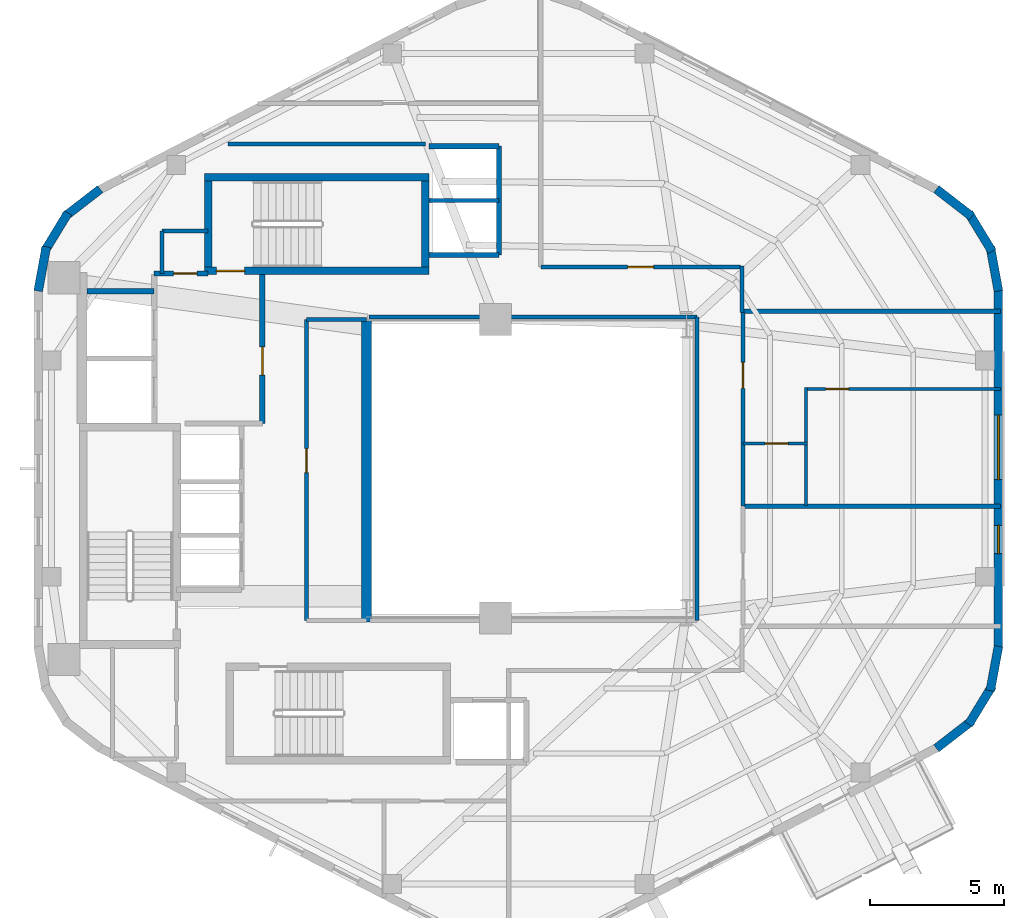
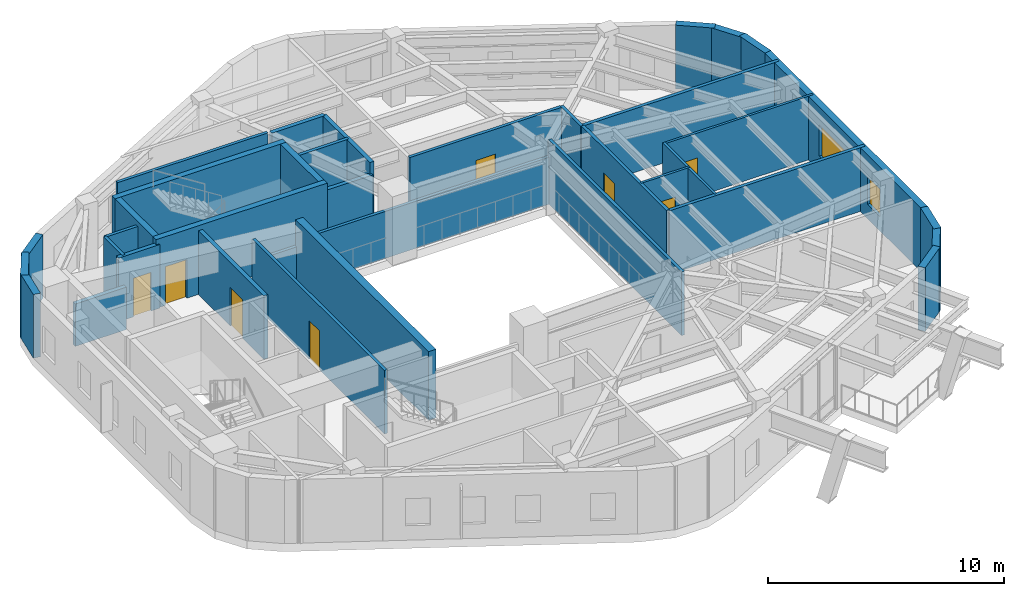
# One storey, part 6 of 9: 37 walls, 8 doors, 2 windows, 10 openings.
"""IFC4 building model written with IfcOpenShell, lengths in metres."""

from ifc_helpers import new_model, si_unit, direction, frame, frame_2d, origin, place, context, subcontext, project, spatial, rectangle, extrude, material, layer, layer_set, type_object, element, fill, save


model = new_model("IFC4")

# Units and contexts
model_context = context("Model", 3, precision=1e-05, world=origin(), true_north=direction((0.0, 1.0)))
body_context = subcontext(model_context, "Body", "Model", "MODEL_VIEW")
ifc_project = project(units=[si_unit("LENGTHUNIT", "METRE"), si_unit("AREAUNIT", "SQUARE_METRE"), si_unit("VOLUMEUNIT", "CUBIC_METRE"), si_unit("PLANEANGLEUNIT", "RADIAN"), si_unit("MASSUNIT", "GRAM", prefix="KILO"), si_unit("THERMODYNAMICTEMPERATUREUNIT", "KELVIN"), si_unit("POWERUNIT", "WATT")], contexts=[model_context])

# Site, building, storey
site_placement = place(None, origin())
site = spatial("IfcSite", under=ifc_project, at=site_placement, CompositionType="ELEMENT")
building_placement = place(site_placement, origin())
building = spatial("IfcBuilding", under=site, at=building_placement, Name="Skarre Station Tower", CompositionType="ELEMENT")
storey_placement = place(building_placement, frame((0.0, 0.0, 220.60009765625)))
storey = spatial("IfcBuildingStorey", under=building, at=storey_placement, Name="L60", CompositionType="ELEMENT", Elevation=220.60009765625)

# Wall, opening, door
ifc_material_1 = material(Name="Acoustic Steel-Stud Gypsum Partition", Category="steel")
ifc_layer_1 = layer(ifc_material_1, 0.14990234375, Name="Acoustic Steel-Stud Gypsum Partition")
ifc_layer_set_1 = layer_set([ifc_layer_1], Name="Acoustic Steel-Stud Gypsum Partition")
wall_type_1 = type_object("IfcWallType", Name="Fire-Rated Corridor Acoustic Partition 150", PredefinedType="PARTITIONING", material=ifc_layer_set_1)
wall_1_placement = place(storey_placement, frame((25.320068359375, 29.550048828125, 0.0), z_axis=(0.0, 0.0, 1.0), x_axis=(0.0, -1.0, 0.0)))
wall_1 = element("IfcWall", 1, at=wall_1_placement, inside=storey, type_object=wall_type_1, Name="L60 Interior Partition WL-PT-L60-RC2-W1", PredefinedType="PARTITIONING", context=body_context, shape_type="SweptSolid", body=[
    extrude(rectangle(XDim=11.18994140625, YDim=0.14990234375, at=frame_2d((5.594970703125, 0.0))), origin(), (0.0, 0.0, 1.0), 3.289794921875),
])
opening_1_placement = place(wall_1_placement, frame((4.800048828125, 0.0, 0.0)))
opening_1 = element("IfcOpeningElement", 2, at=opening_1_placement, cuts=wall_1, Name="Opening DR-SVC90", PredefinedType="OPENING", context=body_context, shape_type="SweptSolid", body=[
    extrude(rectangle(XDim=0.89990234375, YDim=2.0, at=frame_2d((0.449951171875, 1.0))), frame((0.0, 0.0849609375, 0.0), z_axis=(0.0, -1.0, 0.0), x_axis=(1.0, 0.0, 0.0)), (0.0, 0.0, 1.0), 0.169921875),
])
ifc_material_2 = material(Name="Powder-Coated Hollow-Metal Acoustic Fire Leaf", Category="steel")
door_type_1 = type_object("IfcDoorType", Name="Service & Riser Fire Door FD60 900x2100", OperationType="SINGLE_SWING_LEFT", PredefinedType="DOOR", material=ifc_material_2)
door_1_placement = place(opening_1_placement, origin())
door_1 = element("IfcDoor", 3, at=door_1_placement, inside=storey, type_object=door_type_1, Name="L60 Wine Pantry Door", OperationType="SINGLE_SWING_LEFT", OverallHeight=2.0, OverallWidth=0.89990234375, PredefinedType="DOOR", context=body_context, shape_type="SweptSolid", body=[
    extrude(rectangle(XDim=0.89990234375, YDim=2.0, at=frame_2d((0.449951171875, 1.0))), frame((0.0, 0.02490234375, 0.0), z_axis=(0.0, -1.0, 0.0), x_axis=(1.0, 0.0, 0.0)), (0.0, 0.0, 1.0), 0.050048828125),
])
fill(opening_1, door_1)

# Walls
wall_2_placement = place(storey_placement, frame((27.550048828125, 29.550048828125, 0.0), z_axis=(0.0, 0.0, 1.0), x_axis=(-1.0, 0.0, 0.0)))
element("IfcWall", 4, at=wall_2_placement, inside=storey, type_object=wall_type_1, Name="L60 Interior Partition WL-PT-L60-RC2-N", PredefinedType="PARTITIONING", context=body_context, shape_type="SweptSolid", body=[
    extrude(rectangle(XDim=2.22998046875, YDim=0.14990234375, at=frame_2d((1.114990234375, 0.0))), origin(), (0.0, 0.0, 1.0), 2.18994140625),
])
wall_3_placement = place(storey_placement, frame((19.949951171875, 32.85009765625, 0.0), z_axis=(0.0, 0.0, 1.0), x_axis=(0.0, -1.0, 0.0)))
element("IfcWall", 5, at=wall_3_placement, inside=storey, type_object=wall_type_1, Name="L60 Interior Partition WL-PT-L60-CNW-W", PredefinedType="PARTITIONING", context=body_context, shape_type="SweptSolid", body=[
    extrude(rectangle(XDim=1.590087890625, YDim=0.14990234375, at=frame_2d((0.794921875, 0.0))), origin(), (0.0, 0.0, 1.0), 3.289794921875),
])
wall_4_placement = place(storey_placement, frame((21.659912109375, 32.85009765625, 0.0), z_axis=(0.0, 0.0, 1.0), x_axis=(-1.0, 0.0, 0.0)))
element("IfcWall", 6, at=wall_4_placement, inside=storey, type_object=wall_type_1, Name="L60 Interior Partition WL-PT-L60-CNW-N1", PredefinedType="PARTITIONING", context=body_context, shape_type="SweptSolid", body=[
    extrude(rectangle(XDim=1.7099609375, YDim=0.14990234375, at=frame_2d((0.85498046875, 0.0))), origin(), (0.0, 0.0, 1.0), 3.289794921875),
])
wall_5_placement = place(storey_placement, frame((39.840087890625, 29.639892578125, 0.0), z_axis=(0.0, 0.0, 1.0), x_axis=(-1.0, 0.0, 0.0)))
element("IfcWall", 7, at=wall_5_placement, inside=storey, type_object=wall_type_1, Name="L60 Interior Partition WL-PT-L60-ATRW-N", PredefinedType="PARTITIONING", context=body_context, shape_type="SweptSolid", body=[
    extrude(rectangle(XDim=12.203125, YDim=0.14990234375, at=frame_2d((6.1015625, 0.0))), origin(), (0.0, 0.0, 1.0), 2.430908203125),
])
wall_6_placement = place(storey_placement, frame((39.840087890625, 18.360107421875, 0.0), z_axis=(0.0, 0.0, 1.0), x_axis=(0.0, 1.0, 0.0)))
element("IfcWall", 8, at=wall_6_placement, inside=storey, type_object=wall_type_1, Name="L60 Interior Partition WL-PT-L60-ATRW-E", PredefinedType="PARTITIONING", context=body_context, shape_type="SweptSolid", body=[
    extrude(rectangle(XDim=11.27978515625, YDim=0.14990234375, at=frame_2d((5.639892578125, 0.0))), origin(), (0.0, 0.0, 1.0), 3.289794921875),
])
wall_7_placement = place(storey_placement, frame((41.52001953125, 29.820068359375, 0.0), z_axis=(0.0, 0.0, 1.0), x_axis=(0.0, 1.0, 0.0)))
element("IfcWall", 9, at=wall_7_placement, inside=storey, type_object=wall_type_1, Name="L60 Interior Partition WL-PT-L60-CORR-NER", PredefinedType="PARTITIONING", context=body_context, shape_type="SweptSolid", body=[
    extrude(rectangle(XDim=1.719970703125, YDim=0.14990234375, at=frame_2d((0.85986328125, 0.0))), origin(), (0.0, 0.0, 1.0), 3.289794921875),
])

# Wall, opening, door
wall_8_placement = place(storey_placement, frame((41.4599609375, 31.5, 0.0), z_axis=(0.0, 0.0, 1.0), x_axis=(-1.0, 0.0, 0.0)))
wall_8 = element("IfcWall", 10, at=wall_8_placement, inside=storey, type_object=wall_type_1, Name="L60 Interior Partition WL-PT-L60-NW1-CW", PredefinedType="PARTITIONING", context=body_context, shape_type="SweptSolid", body=[
    extrude(rectangle(XDim=7.419921875, YDim=0.14990234375, at=frame_2d((3.7099609375, 0.0))), origin(), (0.0, 0.0, 1.0), 3.289794921875),
])
opening_2_placement = place(wall_8_placement, frame((3.22998046875, 0.0, 0.0)))
opening_2 = element("IfcOpeningElement", 11, at=opening_2_placement, cuts=wall_8, Name="Opening DR-FD60", PredefinedType="OPENING", context=body_context, shape_type="SweptSolid", body=[
    extrude(rectangle(XDim=0.9599609375, YDim=2.0, at=frame_2d((0.47998046875, 1.0))), frame((0.0, 0.0849609375, 0.0), z_axis=(0.0, -1.0, 0.0), x_axis=(1.0, 0.0, 0.0)), (0.0, 0.0, 1.0), 0.169921875),
])
ifc_material_3 = material(Name="Nordic White-Oak Veneer Solid-Core Fire Leaf", Category="wood")
door_type_2 = type_object("IfcDoorType", Name="Corridor Suite Entry Fire Door FD60 960x2150", OperationType="SINGLE_SWING_LEFT", PredefinedType="DOOR", material=ifc_material_3)
door_2_placement = place(opening_2_placement, origin())
door_2 = element("IfcDoor", 12, at=door_2_placement, inside=storey, type_object=door_type_2, Name="L60 NW1 Entry Door", OperationType="SINGLE_SWING_LEFT", OverallHeight=2.0, OverallWidth=0.9599609375, PredefinedType="DOOR", context=body_context, shape_type="SweptSolid", body=[
    extrude(rectangle(XDim=0.9599609375, YDim=2.0, at=frame_2d((0.47998046875, 1.0))), frame((0.0, 0.02490234375, 0.0), z_axis=(0.0, -1.0, 0.0), x_axis=(1.0, 0.0, 0.0)), (0.0, 0.0, 1.0), 0.050048828125),
])
fill(opening_2, door_2)

wall_9_placement = place(storey_placement, frame((41.56005859375, 22.62109375, 0.0), z_axis=(0.0, 0.0, 1.0), x_axis=(0.0, 1.0, 0.0)))
wall_9 = element("IfcWall", 13, at=wall_9_placement, inside=storey, type_object=wall_type_1, Name="L60 Interior Partition WL-PT-L60-EW2-CW", PredefinedType="PARTITIONING", context=body_context, shape_type="SweptSolid", body=[
    extrude(rectangle(XDim=7.198974609375, YDim=0.14990234375, at=frame_2d((3.599609375, 0.0))), origin(), (0.0, 0.0, 1.0), 3.289794921875),
])
opening_3_placement = place(wall_9_placement, frame((4.3701171875, 0.0, 0.0)))
opening_3 = element("IfcOpeningElement", 14, at=opening_3_placement, cuts=wall_9, Name="Opening DR-FD60", PredefinedType="OPENING", context=body_context, shape_type="SweptSolid", body=[
    extrude(rectangle(XDim=0.9599609375, YDim=2.0, at=frame_2d((0.47998046875, 1.0))), frame((0.0, 0.0849609375, 0.0), z_axis=(0.0, -1.0, 0.0), x_axis=(1.0, 0.0, 0.0)), (0.0, 0.0, 1.0), 0.169921875),
])
door_3_placement = place(opening_3_placement, origin())
door_3 = element("IfcDoor", 15, at=door_3_placement, inside=storey, type_object=door_type_2, Name="L60 EW2 Entry Door", OperationType="SINGLE_SWING_LEFT", OverallHeight=2.0, OverallWidth=0.9599609375, PredefinedType="DOOR", context=body_context, shape_type="SweptSolid", body=[
    extrude(rectangle(XDim=0.9599609375, YDim=2.0, at=frame_2d((0.47998046875, 1.0))), frame((0.0, 0.02490234375, 0.0), z_axis=(0.0, -1.0, 0.0), x_axis=(1.0, 0.0, 0.0)), (0.0, 0.0, 1.0), 0.050048828125),
])
fill(opening_3, door_3)

# Walls
wall_10_placement = place(storey_placement, frame((29.7529296875, 36.080078125, 0.0), z_axis=(0.0, 0.0, 1.0), x_axis=(-1.0, 0.0, 0.0)))
element("IfcWall", 16, at=wall_10_placement, inside=storey, type_object=wall_type_1, Name="L60 Interior Partition WL-PT-L60-CSEAL-1", PredefinedType="PARTITIONING", context=body_context, shape_type="SweptSolid", body=[
    extrude(rectangle(XDim=7.35302734375, YDim=0.14990234375, at=frame_2d((3.676513671875, 0.0))), origin(), (0.0, 0.0, 1.0), 3.289794921875),
])
ifc_material_4 = material(Name="Insulated Timber-Stud Gypsum Partition", Category="wood")
ifc_layer_2 = layer(ifc_material_4, 0.1201171875, Name="Insulated Timber-Stud Gypsum Partition")
ifc_layer_set_2 = layer_set([ifc_layer_2], Name="Insulated Timber-Stud Gypsum Partition")
wall_type_2 = type_object("IfcWallType", Name="Internal Suite Acoustic Partition 120", PredefinedType="PARTITIONING", material=ifc_layer_set_2)
wall_11_placement = place(storey_placement, frame((43.89990234375, 22.637939453125, 0.0), z_axis=(0.0, 0.0, 1.0), x_axis=(0.0, 1.0, 0.0)))
element("IfcWall", 17, at=wall_11_placement, inside=storey, type_object=wall_type_2, Name="L60 Interior Partition WL-PT-L60-EW2-BW1", PredefinedType="PARTITIONING", context=body_context, shape_type="SweptSolid", body=[
    extrude(rectangle(XDim=4.38916015625, YDim=0.1201171875, at=frame_2d((2.194580078125, 0.0))), origin(), (0.0, 0.0, 1.0), 3.289794921875),
])

# Wall, opening, door
wall_12_placement = place(storey_placement, frame((43.9599609375, 24.93798828125, 0.0), z_axis=(0.0, 0.0, 1.0), x_axis=(-1.0, 0.0, 0.0)))
wall_12 = element("IfcWall", 18, at=wall_12_placement, inside=storey, type_object=wall_type_2, Name="L60 Interior Partition WL-PT-L60-EW2-BW2", PredefinedType="PARTITIONING", context=body_context, shape_type="SweptSolid", body=[
    extrude(rectangle(XDim=2.409912109375, YDim=0.1201171875, at=frame_2d((1.205078125, 0.0))), origin(), (0.0, 0.0, 1.0), 3.289794921875),
])
opening_4_placement = place(wall_12_placement, frame((0.719970703125, 0.0, 0.0)))
opening_4 = element("IfcOpeningElement", 19, at=opening_4_placement, cuts=wall_12, Name="Opening DR-INT86", PredefinedType="OPENING", context=body_context, shape_type="SweptSolid", body=[
    extrude(rectangle(XDim=0.860107421875, YDim=2.0, at=frame_2d((0.43017578125, 1.0))), frame((0.0, 0.070068359375, 0.0), z_axis=(0.0, -1.0, 0.0), x_axis=(1.0, 0.0, 0.0)), (0.0, 0.0, 1.0), 0.14013671875),
])
ifc_material_5 = material(Name="Nordic Birch Acoustic Solid-Core Timber Leaf", Category="wood")
door_type_3 = type_object("IfcDoorType", Name="Internal En-Suite & Bedroom Door 860x2100", OperationType="SINGLE_SWING_LEFT", PredefinedType="DOOR", material=ifc_material_5)
door_4_placement = place(opening_4_placement, origin())
door_4 = element("IfcDoor", 20, at=door_4_placement, inside=storey, type_object=door_type_3, Name="L60 EW2 Residence Bathroom Door", OperationType="SINGLE_SWING_LEFT", OverallHeight=2.0, OverallWidth=0.860107421875, PredefinedType="DOOR", context=body_context, shape_type="SweptSolid", body=[
    extrude(rectangle(XDim=0.860107421875, YDim=2.0, at=frame_2d((0.43017578125, 1.0))), frame((0.0, 0.02490234375, 0.0), z_axis=(0.0, -1.0, 0.0), x_axis=(1.0, 0.0, 0.0)), (0.0, 0.0, 1.0), 0.050048828125),
])
fill(opening_4, door_4)

wall_13_placement = place(storey_placement, frame((43.89990234375, 26.967041015625, 0.0), z_axis=(0.0, 0.0, 1.0), x_axis=(1.0, 0.0, 0.0)))
wall_13 = element("IfcWall", 21, at=wall_13_placement, inside=storey, type_object=wall_type_2, Name="L60 Interior Partition WL-PT-L60-EW2-BDW", PredefinedType="PARTITIONING", context=body_context, shape_type="SweptSolid", body=[
    extrude(rectangle(XDim=7.2431640625, YDim=0.1201171875, at=frame_2d((3.62158203125, 0.0))), origin(), (0.0, 0.0, 1.0), 3.289794921875),
])
opening_5_placement = place(wall_13_placement, frame((0.72998046875, 0.0, 0.0)))
opening_5 = element("IfcOpeningElement", 22, at=opening_5_placement, cuts=wall_13, Name="Opening DR-INT86", PredefinedType="OPENING", context=body_context, shape_type="SweptSolid", body=[
    extrude(rectangle(XDim=0.860107421875, YDim=2.0, at=frame_2d((0.43017578125, 1.0))), frame((0.0, 0.070068359375, 0.0), z_axis=(0.0, -1.0, 0.0), x_axis=(1.0, 0.0, 0.0)), (0.0, 0.0, 1.0), 0.14013671875),
])
door_5_placement = place(opening_5_placement, origin())
door_5 = element("IfcDoor", 23, at=door_5_placement, inside=storey, type_object=door_type_3, Name="L60 EW2 Master Bedroom Door", OperationType="SINGLE_SWING_RIGHT", OverallHeight=2.0, OverallWidth=0.860107421875, PredefinedType="DOOR", context=body_context, shape_type="SweptSolid", body=[
    extrude(rectangle(XDim=0.860107421875, YDim=2.0, at=frame_2d((0.43017578125, 1.0))), frame((0.0, 0.02490234375, 0.0), z_axis=(0.0, -1.0, 0.0), x_axis=(1.0, 0.0, 0.0)), (0.0, 0.0, 1.0), 0.050048828125),
])
fill(opening_5, door_5)

# Walls
ifc_material_6 = material(Name="Precast concrete C45/55", Category="concrete")
ifc_layer_3 = layer(ifc_material_6, 0.330078125, Name="Precast concrete C45/55")
ifc_layer_set_3 = layer_set([ifc_layer_3], Name="Precast concrete C45/55")
wall_type_3 = type_object("IfcWallType", Name="Nordic Rounded Corner Precast Wall 330", PredefinedType="STANDARD", material=ifc_layer_set_3)
wall_14_placement = place(storey_placement, frame((48.7529296875, 34.40087890625, 0.0), z_axis=(0.0, 0.0, 1.0), x_axis=(0.790691856293, -0.61221433207, 0.0)))
element("IfcWall", 24, at=wall_14_placement, inside=storey, type_object=wall_type_3, Name="L60 Rounded Corner Precast Wall F0-1", PredefinedType="STANDARD", context=body_context, shape_type="SweptSolid", body=[
    extrude(rectangle(XDim=1.67578125, YDim=0.330078125, at=frame_2d((0.837890625, 0.0))), origin(), (0.0, 0.0, 1.0), 3.289794921875),
])
wall_15_placement = place(storey_placement, frame((49.952880859375, 33.514892578125, 0.0), z_axis=(0.0, 0.0, 1.0), x_axis=(0.520325409202, -0.853968072318, 0.0)))
element("IfcWall", 25, at=wall_15_placement, inside=storey, type_object=wall_type_3, Name="L60 Rounded Corner Precast Wall F0-2", PredefinedType="STANDARD", context=body_context, shape_type="SweptSolid", body=[
    extrude(rectangle(XDim=1.677978515625, YDim=0.330078125, at=frame_2d((0.8388671875, 0.0))), origin(), (0.0, 0.0, 1.0), 3.289794921875),
])
for number, where, z_axis, x_axis, name in (
    (26, (50.759033203125, 32.257080078125, 0.0), (0.0, 0.0, 1.0), (0.180691763044, -0.983539773862, 0.0), "L60 Rounded Corner Precast Wall F0-3"),
    (27, (15.337890625, 30.60791015625, 0.0), (0.0, 0.0, 1.0), (0.180832605401, 0.983513888475, 0.0), "L60 Rounded Corner Precast Wall F2-1"),
):
    element("IfcWall", number, at=place(storey_placement, frame(where, z_axis=z_axis, x_axis=x_axis)), inside=storey, type_object=wall_type_3, Name=name, PredefinedType="STANDARD", context=body_context, shape_type="SweptSolid", body=[
        extrude(rectangle(XDim=1.6767578125, YDim=0.330078125, at=frame_2d((0.83837890625, 0.0))), origin(), (0.0, 0.0, 1.0), 3.289794921875),
    ])
wall_16_placement = place(storey_placement, frame((15.573974609375, 32.08203125, 0.0), z_axis=(0.0, 0.0, 1.0), x_axis=(0.520325409202, 0.853968072318, 0.0)))
element("IfcWall", 28, at=wall_16_placement, inside=storey, type_object=wall_type_3, Name="L60 Rounded Corner Precast Wall F2-2", PredefinedType="STANDARD", context=body_context, shape_type="SweptSolid", body=[
    extrude(rectangle(XDim=1.677978515625, YDim=0.330078125, at=frame_2d((0.8388671875, 0.0))), origin(), (0.0, 0.0, 1.0), 3.289794921875),
])
wall_17_placement = place(storey_placement, frame((16.322021484375, 33.375, 0.0), z_axis=(0.0, 0.0, 1.0), x_axis=(0.790691856293, 0.61221433207, 0.0)))
element("IfcWall", 29, at=wall_17_placement, inside=storey, type_object=wall_type_3, Name="L60 Rounded Corner Precast Wall F2-3", PredefinedType="STANDARD", context=body_context, shape_type="SweptSolid", body=[
    extrude(rectangle(XDim=1.67578125, YDim=0.330078125, at=frame_2d((0.837890625, 0.0))), origin(), (0.0, 0.0, 1.0), 3.289794921875),
])
wall_18_placement = place(storey_placement, frame((51.06201171875, 17.39208984375, 0.0), z_axis=(0.0, 0.0, 1.0), x_axis=(-0.180691763044, -0.983539773862, 0.0)))
element("IfcWall", 30, at=wall_18_placement, inside=storey, type_object=wall_type_3, Name="L60 Rounded Corner Precast Wall F5-1", PredefinedType="STANDARD", context=body_context, shape_type="SweptSolid", body=[
    extrude(rectangle(XDim=1.6767578125, YDim=0.330078125, at=frame_2d((0.83837890625, 0.0))), origin(), (0.0, 0.0, 1.0), 3.289794921875),
])
wall_19_placement = place(storey_placement, frame((50.825927734375, 15.91796875, 0.0), z_axis=(0.0, 0.0, 1.0), x_axis=(-0.520325409202, -0.853968072318, 0.0)))
element("IfcWall", 31, at=wall_19_placement, inside=storey, type_object=wall_type_3, Name="L60 Rounded Corner Precast Wall F5-2", PredefinedType="STANDARD", context=body_context, shape_type="SweptSolid", body=[
    extrude(rectangle(XDim=1.677978515625, YDim=0.330078125, at=frame_2d((0.8388671875, 0.0))), origin(), (0.0, 0.0, 1.0), 3.289794921875),
])
wall_20_placement = place(storey_placement, frame((50.077880859375, 14.625, 0.0), z_axis=(0.0, 0.0, 1.0), x_axis=(-0.790691856293, -0.61221433207, 0.0)))
element("IfcWall", 32, at=wall_20_placement, inside=storey, type_object=wall_type_3, Name="L60 Rounded Corner Precast Wall F5-3", PredefinedType="STANDARD", context=body_context, shape_type="SweptSolid", body=[
    extrude(rectangle(XDim=1.67578125, YDim=0.330078125, at=frame_2d((0.837890625, 0.0))), origin(), (0.0, 0.0, 1.0), 3.289794921875),
])

# Wall, openings, windows
ifc_layer_4 = layer(ifc_material_6, 0.31005859375, Name="Precast concrete C45/55")
ifc_layer_set_4 = layer_set([ifc_layer_4], Name="Precast concrete C45/55")
wall_type_4 = type_object("IfcWallType", Name="Nordic Upper-Zone Precast Facet Wall 310", PredefinedType="STANDARD", material=ifc_layer_set_4)
wall_21_placement = place(storey_placement, frame((51.05810546875, 30.701904296875, 0.0), z_axis=(0.0, 0.0, 1.0), x_axis=(0.0, -1.0, 0.0)))
wall_21 = element("IfcWall", 33, at=wall_21_placement, inside=storey, type_object=wall_type_4, Name="L60 Facet 5 Nordic Precast Masonry Wall", PredefinedType="STANDARD", context=body_context, shape_type="SweptSolid", body=[
    extrude(rectangle(XDim=13.40380859375, YDim=0.31005859375, at=frame_2d((6.701904296875, 0.0))), origin(), (0.0, 0.0, 1.0), 3.289794921875),
])
opening_6_placement = place(wall_21_placement, frame((4.7060546875, 0.0, 0.75)))
opening_6 = element("IfcOpeningElement", 34, at=opening_6_placement, cuts=wall_21, Name="Opening WN-Z4A", PredefinedType="OPENING", context=body_context, shape_type="SweptSolid", body=[
    extrude(rectangle(XDim=2.39990234375, YDim=1.60009765625, at=frame_2d((1.199951171875, 0.800048828125))), frame((0.0, 0.1650390625, 0.0), z_axis=(0.0, -1.0, 0.0), x_axis=(1.0, 0.0, 0.0)), (0.0, 0.0, 1.0), 0.330078125),
])
opening_7_placement = place(wall_21_placement, frame((8.806884765625, 0.0, 0.75)))
opening_7 = element("IfcOpeningElement", 35, at=opening_7_placement, cuts=wall_21, Name="Opening WN-SLT", PredefinedType="OPENING", context=body_context, shape_type="SweptSolid", body=[
    extrude(rectangle(XDim=1.050048828125, YDim=1.39990234375, at=frame_2d((0.52490234375, 0.699951171875))), frame((0.0, 0.1650390625, 0.0), z_axis=(0.0, -1.0, 0.0), x_axis=(1.0, 0.0, 0.0)), (0.0, 0.0, 1.0), 0.330078125),
])
ifc_material_7 = material(Name="Low-Iron Triple Glazing with Bronze Anodized Frame", Category="glass")
window_type_1 = type_object("IfcWindowType", Name="Nordic Corner Slot Window 1050x1400", PartitioningType="SINGLE_PANEL", PredefinedType="WINDOW", material=ifc_material_7)
window_1_placement = place(opening_7_placement, origin())
window_1 = element("IfcWindow", 36, at=window_1_placement, inside=storey, type_object=window_type_1, Name="L60 Facade Window WL-FAC-L60-F5-2", OverallHeight=1.39990234375, OverallWidth=1.050048828125, PartitioningType="SINGLE_PANEL", PredefinedType="WINDOW", context=body_context, shape_type="SweptSolid", body=[
    extrude(rectangle(XDim=1.050048828125, YDim=1.39990234375, at=frame_2d((0.52490234375, 0.699951171875))), frame((0.0, 0.030029296875, 0.0), z_axis=(0.0, -1.0, 0.0), x_axis=(1.0, 0.0, 0.0)), (0.0, 0.0, 1.0), 0.06005859375),
])
fill(opening_7, window_1)
window_type_2 = type_object("IfcWindowType", Name="Nordic Crown Panorama Window 2400x1600", PartitioningType="SINGLE_PANEL", PredefinedType="WINDOW", material=ifc_material_7)
window_2_placement = place(opening_6_placement, origin())
window_2 = element("IfcWindow", 37, at=window_2_placement, inside=storey, type_object=window_type_2, Name="L60 Facade Window WL-FAC-L60-F5-1", OverallHeight=1.60009765625, OverallWidth=2.39990234375, PartitioningType="SINGLE_PANEL", PredefinedType="WINDOW", context=body_context, shape_type="SweptSolid", body=[
    extrude(rectangle(XDim=2.39990234375, YDim=1.60009765625, at=frame_2d((1.199951171875, 0.800048828125))), frame((0.0, 0.030029296875, 0.0), z_axis=(0.0, -1.0, 0.0), x_axis=(1.0, 0.0, 0.0)), (0.0, 0.0, 1.0), 0.06005859375),
])
fill(opening_6, window_2)

# Wall, opening, door
ifc_material_8 = material(Name="Concrete C50/60", Category="concrete")
ifc_layer_5 = layer(ifc_material_8, 0.280029296875, Name="Concrete C50/60")
ifc_layer_set_5 = layer_set([ifc_layer_5], Name="Concrete C50/60")
wall_type_5 = type_object("IfcWallType", Name="RC Core Shear Wall 280", PredefinedType="SHEAR", material=ifc_layer_set_5)
wall_22_placement = place(storey_placement, frame((21.52001953125, 31.360107421875, 0.0), z_axis=(0.0, 0.0, 1.0), x_axis=(1.0, 0.0, 0.0)))
wall_22 = element("IfcWall", 38, at=wall_22_placement, inside=storey, type_object=wall_type_5, Name="L60 Stair ST-3 South Shear Wall", PredefinedType="SHEAR", context=body_context, shape_type="SweptSolid", body=[
    extrude(rectangle(XDim=8.35986328125, YDim=0.280029296875, at=frame_2d((4.179931640625, 0.0))), origin(), (0.0, 0.0, 1.0), 3.5498046875),
])
opening_8_placement = place(wall_22_placement, frame((0.449951171875, 0.0, 0.0)))
opening_8 = element("IfcOpeningElement", 39, at=opening_8_placement, cuts=wall_22, Name="Opening DR-FD90", PredefinedType="OPENING", context=body_context, shape_type="SweptSolid", body=[
    extrude(rectangle(XDim=1.050048828125, YDim=2.0, at=frame_2d((0.52490234375, 1.0))), frame((0.0, 0.14990234375, 0.0), z_axis=(0.0, -1.0, 0.0), x_axis=(1.0, 0.0, 0.0)), (0.0, 0.0, 1.0), 0.300048828125),
])
ifc_material_9 = material(Name="Fire-Rated Insulated Steel Frame & Timber Core Leaf", Category="steel")
door_type_4 = type_object("IfcDoorType", Name="Stair & FSAE Lobby Fire Door FD90 1050x2150", OperationType="SINGLE_SWING_RIGHT", PredefinedType="DOOR", material=ifc_material_9)
door_6_placement = place(opening_8_placement, origin())
door_6 = element("IfcDoor", 40, at=door_6_placement, inside=storey, type_object=door_type_4, Name="L60 Stair ST-3 & FSAE Lobby Direct Exit Door", OperationType="SINGLE_SWING_LEFT", OverallHeight=2.0, OverallWidth=1.050048828125, PredefinedType="DOOR", context=body_context, shape_type="SweptSolid", body=[
    extrude(rectangle(XDim=1.050048828125, YDim=2.0, at=frame_2d((0.52490234375, 1.0))), frame((0.0, 0.02490234375, 0.0), z_axis=(0.0, -1.0, 0.0), x_axis=(1.0, 0.0, 0.0)), (0.0, 0.0, 1.0), 0.050048828125),
])
fill(opening_8, door_6)

# Walls
wall_23_placement = place(storey_placement, frame((29.8798828125, 34.840087890625, 0.0), z_axis=(0.0, 0.0, 1.0), x_axis=(-1.0, 0.0, 0.0)))
element("IfcWall", 41, at=wall_23_placement, inside=storey, type_object=wall_type_5, Name="L60 Stair ST-3 North Shear Wall", PredefinedType="SHEAR", context=body_context, shape_type="SweptSolid", body=[
    extrude(rectangle(XDim=8.35986328125, YDim=0.280029296875, at=frame_2d((4.179931640625, 0.0))), origin(), (0.0, 0.0, 1.0), 3.5498046875),
])
for number, where, z_axis, x_axis, name in (
    (42, (21.659912109375, 34.699951171875, 0.0), (0.0, 0.0, 1.0), (0.0, -1.0, 0.0), "L60 Stair ST-3 West Shear Wall"),
    (43, (29.739990234375, 31.5, 0.0), (0.0, 0.0, 1.0), (0.0, 1.0, 0.0), "L60 Stair ST-3 East Shear Wall"),
):
    element("IfcWall", number, at=place(storey_placement, frame(where, z_axis=z_axis, x_axis=x_axis)), inside=storey, type_object=wall_type_5, Name=name, PredefinedType="SHEAR", context=body_context, shape_type="SweptSolid", body=[
        extrude(rectangle(XDim=3.199951171875, YDim=0.280029296875, at=frame_2d((1.60009765625, 0.0))), origin(), (0.0, 0.0, 1.0), 3.5498046875),
    ])
ifc_layer_6 = layer(ifc_material_8, 0.360107421875, Name="Concrete C50/60")
ifc_layer_set_6 = layer_set([ifc_layer_6], Name="Concrete C50/60")
wall_type_6 = type_object("IfcWallType", Name="RC Core Shear Wall 360", PredefinedType="SHEAR", material=ifc_layer_set_6)
wall_24_placement = place(storey_placement, frame((27.550048828125, 29.550048828125, 0.0), z_axis=(0.0, 0.0, 1.0), x_axis=(0.0, -1.0, 0.0)))
element("IfcWall", 44, at=wall_24_placement, inside=storey, type_object=wall_type_6, Name="L60 Core East Atrium Shear Wall", PredefinedType="SHEAR", context=body_context, shape_type="SweptSolid", body=[
    extrude(rectangle(XDim=11.25, YDim=0.360107421875, at=frame_2d((5.625, 0.0))), origin(), (0.0, 0.0, 1.0), 3.5498046875),
])

# Wall, opening, door
ifc_material_10 = material(Name="Gypsum Concrete Shaft Assembly C30/37", Category="concrete")
ifc_layer_7 = layer(ifc_material_10, 0.199951171875, Name="Gypsum Concrete Shaft Assembly C30/37")
ifc_layer_set_7 = layer_set([ifc_layer_7], Name="Gypsum Concrete Shaft Assembly C30/37")
wall_type_7 = type_object("IfcWallType", Name="Shaft & Core Fire Partition 200", PredefinedType="PARTITIONING", material=ifc_layer_set_7)
wall_25_placement = place(storey_placement, frame((23.679931640625, 25.679931640625, 0.0), z_axis=(0.0, 0.0, 1.0), x_axis=(0.0, 1.0, 0.0)))
wall_25 = element("IfcWall", 45, at=wall_25_placement, inside=storey, type_object=wall_type_7, Name="L60 Interior Partition WL-PT-L60-FSAE-E", PredefinedType="PARTITIONING", context=body_context, shape_type="SweptSolid", body=[
    extrude(rectangle(XDim=5.5400390625, YDim=0.199951171875, at=frame_2d((2.77001953125, 0.0))), origin(), (0.0, 0.0, 1.0), 3.289794921875),
])
opening_9_placement = place(wall_25_placement, frame((1.800048828125, 0.0, 0.0)))
opening_9 = element("IfcOpeningElement", 46, at=opening_9_placement, cuts=wall_25, Name="Opening DR-FD90", PredefinedType="OPENING", context=body_context, shape_type="SweptSolid", body=[
    extrude(rectangle(XDim=1.050048828125, YDim=2.0, at=frame_2d((0.52490234375, 1.0))), frame((0.0, 0.10986328125, 0.0), z_axis=(0.0, -1.0, 0.0), x_axis=(1.0, 0.0, 0.0)), (0.0, 0.0, 1.0), 0.219970703125),
])
door_7_placement = place(opening_9_placement, origin())
door_7 = element("IfcDoor", 47, at=door_7_placement, inside=storey, type_object=door_type_4, Name="L60 FSAE Lobby Fire Door", OperationType="SINGLE_SWING_RIGHT", OverallHeight=2.0, OverallWidth=1.050048828125, PredefinedType="DOOR", context=body_context, shape_type="SweptSolid", body=[
    extrude(rectangle(XDim=1.050048828125, YDim=2.0, at=frame_2d((0.52490234375, 1.0))), frame((0.0, 0.02490234375, 0.0), z_axis=(0.0, -1.0, 0.0), x_axis=(1.0, 0.0, 0.0)), (0.0, 0.0, 1.0), 0.050048828125),
])
fill(opening_9, door_7)

wall_26_placement = place(storey_placement, frame((21.659912109375, 31.260009765625, 0.0), z_axis=(0.0, 0.0, 1.0), x_axis=(-1.0, 0.0, 0.0)))
wall_26 = element("IfcWall", 48, at=wall_26_placement, inside=storey, type_object=wall_type_7, Name="L60 Interior Partition WL-PT-L60-FSAE-N", PredefinedType="PARTITIONING", context=body_context, shape_type="SweptSolid", body=[
    extrude(rectangle(XDim=2.010009765625, YDim=0.199951171875, at=frame_2d((1.0048828125, 0.0))), origin(), (0.0, 0.0, 1.0), 3.289794921875),
])
opening_10_placement = place(wall_26_placement, frame((0.419921875, 0.0, 0.0)))
opening_10 = element("IfcOpeningElement", 49, at=opening_10_placement, cuts=wall_26, Name="Opening DR-SVC86", PredefinedType="OPENING", context=body_context, shape_type="SweptSolid", body=[
    extrude(rectangle(XDim=0.860107421875, YDim=2.0, at=frame_2d((0.43017578125, 1.0))), frame((0.0, 0.10986328125, 0.0), z_axis=(0.0, -1.0, 0.0), x_axis=(1.0, 0.0, 0.0)), (0.0, 0.0, 1.0), 0.219970703125),
])
door_type_5 = type_object("IfcDoorType", Name="Compact Riser Fire Door FD60 860x2100", OperationType="SINGLE_SWING_LEFT", PredefinedType="DOOR", material=ifc_material_2)
door_8_placement = place(opening_10_placement, origin())
door_8 = element("IfcDoor", 50, at=door_8_placement, inside=storey, type_object=door_type_5, Name="L60 Core Service Room Lobby Door", OperationType="SINGLE_SWING_LEFT", OverallHeight=2.0, OverallWidth=0.860107421875, PredefinedType="DOOR", context=body_context, shape_type="SweptSolid", body=[
    extrude(rectangle(XDim=0.860107421875, YDim=2.0, at=frame_2d((0.43017578125, 1.0))), frame((0.0, 0.02490234375, 0.0), z_axis=(0.0, -1.0, 0.0), x_axis=(1.0, 0.0, 0.0)), (0.0, 0.0, 1.0), 0.050048828125),
])
fill(opening_10, door_8)

# Walls
wall_27_placement = place(storey_placement, frame((19.64990234375, 30.60009765625, 0.0), z_axis=(0.0, 0.0, 1.0), x_axis=(-1.0, 0.0, 0.0)))
element("IfcWall", 51, at=wall_27_placement, inside=storey, type_object=wall_type_7, Name="L60 Interior Partition WL-PT-L60-FF-N", PredefinedType="PARTITIONING", context=body_context, shape_type="SweptSolid", body=[
    extrude(rectangle(XDim=2.5, YDim=0.199951171875, at=frame_2d((1.25, 0.0))), origin(), (0.0, 0.0, 1.0), 2.18994140625),
])
wall_28_placement = place(storey_placement, frame((32.47998046875, 31.949951171875, 0.0), z_axis=(0.0, 0.0, 1.0), x_axis=(0.0, 1.0, 0.0)))
element("IfcWall", 52, at=wall_28_placement, inside=storey, type_object=wall_type_7, Name="L60 Interior Partition WL-PT-L60-EX-E", PredefinedType="PARTITIONING", context=body_context, shape_type="SweptSolid", body=[
    extrude(rectangle(XDim=4.050048828125, YDim=0.199951171875, at=frame_2d((2.02490234375, 0.0))), origin(), (0.0, 0.0, 1.0), 3.289794921875),
])
wall_29_placement = place(storey_placement, frame((29.8798828125, 36.0, 0.0), z_axis=(0.0, 0.0, 1.0), x_axis=(1.0, 0.0, 0.0)))
element("IfcWall", 53, at=wall_29_placement, inside=storey, type_object=wall_type_7, Name="L60 Interior Partition WL-PT-L60-EX-N", PredefinedType="PARTITIONING", context=body_context, shape_type="SweptSolid", body=[
    extrude(rectangle(XDim=2.60009765625, YDim=0.199951171875, at=frame_2d((1.300048828125, 0.0))), origin(), (0.0, 0.0, 1.0), 3.289794921875),
])
wall_30_placement = place(storey_placement, frame((32.47998046875, 31.949951171875, 0.0), z_axis=(0.0, 0.0, 1.0), x_axis=(-1.0, 0.0, 0.0)))
element("IfcWall", 54, at=wall_30_placement, inside=storey, type_object=wall_type_7, Name="L60 Interior Partition WL-PT-L60-EX-S", PredefinedType="PARTITIONING", context=body_context, shape_type="SweptSolid", body=[
    extrude(rectangle(XDim=2.60009765625, YDim=0.199951171875, at=frame_2d((1.300048828125, 0.0))), origin(), (0.0, 0.0, 1.0), 2.681884765625),
])
wall_31_placement = place(storey_placement, frame((29.875, 33.97998046875, 0.0), z_axis=(0.0, 0.0, 1.0), x_axis=(1.0, 0.0, 0.0)))
element("IfcWall", 55, at=wall_31_placement, inside=storey, type_object=wall_type_7, Name="L60 Interior Partition WL-PT-L60-EX-DIV", PredefinedType="PARTITIONING", context=body_context, shape_type="SweptSolid", body=[
    extrude(rectangle(XDim=2.60498046875, YDim=0.159912109375, at=frame_2d((1.302490234375, 0.0))), origin(), (0.0, 0.0, 1.0), 3.289794921875),
])
ifc_layer_8 = layer(ifc_material_1, 0.1650390625, Name="Acoustic Steel-Stud Gypsum Partition")
ifc_layer_set_8 = layer_set([ifc_layer_8], Name="Acoustic Steel-Stud Gypsum Partition")
wall_type_8 = type_object("IfcWallType", Name="Suite Demising Acoustic Partition 165", PredefinedType="PARTITIONING", material=ifc_layer_set_8)
wall_32_placement = place(storey_placement, frame((41.52001953125, 29.860107421875, 0.0), z_axis=(0.0, 0.0, 1.0), x_axis=(1.0, 0.0, 0.0)))
element("IfcWall", 56, at=wall_32_placement, inside=storey, type_object=wall_type_8, Name="L60 Interior Partition WL-PT-L60-EWB-N", PredefinedType="PARTITIONING", context=body_context, shape_type="SweptSolid", body=[
    extrude(rectangle(XDim=9.623046875, YDim=0.1650390625, at=frame_2d((4.8115234375, 0.0))), origin(), (0.0, 0.0, 1.0), 3.289794921875),
])
wall_33_placement = place(storey_placement, frame((41.590087890625, 22.60302734375, 0.0), z_axis=(0.0, 0.0, 1.0), x_axis=(1.0, 0.0, 0.0)))
element("IfcWall", 57, at=wall_33_placement, inside=storey, type_object=wall_type_8, Name="L60 Interior Partition WL-PT-L60-EW-P1", PredefinedType="PARTITIONING", context=body_context, shape_type="SweptSolid", body=[
    extrude(rectangle(XDim=9.552978515625, YDim=0.1650390625, at=frame_2d((4.7763671875, 0.0))), origin(), (0.0, 0.0, 1.0), 3.289794921875),
])

save(model, "model.ifc")
